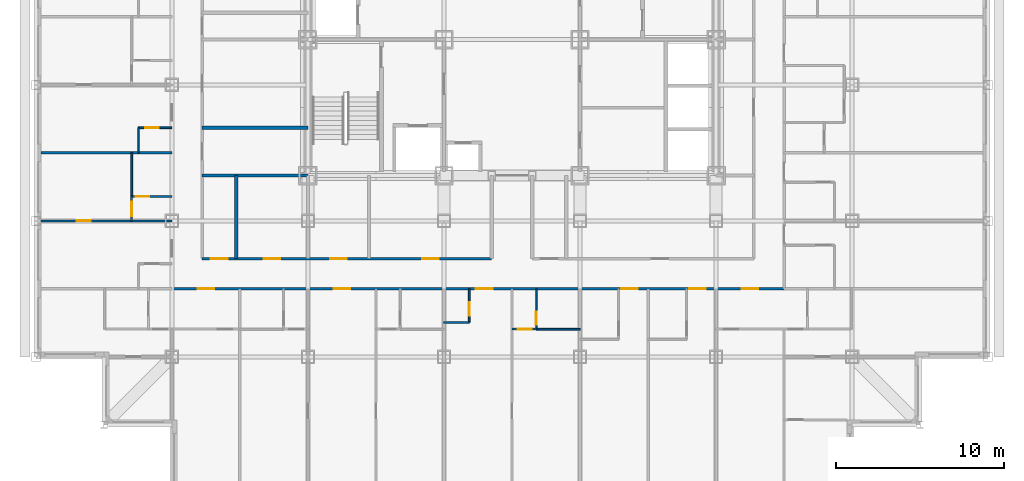
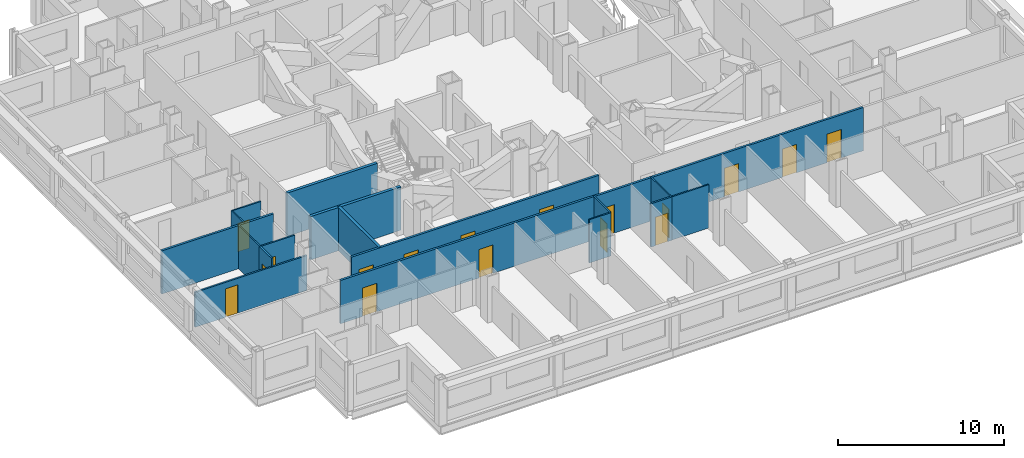
# One storey, part 5 of 13: 17 doors, 17 walls, 17 openings.
"""IFC4 building model written with IfcOpenShell, lengths in metres."""

from ifc_helpers import new_model, si_unit, direction, frame, frame_2d, origin, place, context, subcontext, project, spatial, rectangle, extrude, material, layer, layer_set, type_object, element, fill, save


model = new_model("IFC4")

# Units and contexts
model_context = context("Model", 3, precision=1e-05, world=origin(), true_north=direction((0.0, 1.0)))
body_context = subcontext(model_context, "Body", "Model", "MODEL_VIEW")
ifc_project = project(units=[si_unit("LENGTHUNIT", "METRE"), si_unit("AREAUNIT", "SQUARE_METRE"), si_unit("VOLUMEUNIT", "CUBIC_METRE"), si_unit("PLANEANGLEUNIT", "RADIAN"), si_unit("MASSUNIT", "GRAM", prefix="KILO")], contexts=[model_context])

# Site, building, storey
site_placement = place(None, origin())
site = spatial("IfcSite", under=ifc_project, at=site_placement, CompositionType="ELEMENT")
building_placement = place(site_placement, origin())
building = spatial("IfcBuilding", under=site, at=building_placement, Name="Kopane Lantern Tower", CompositionType="ELEMENT")
storey_placement = place(building_placement, frame((0.0, 0.0, 134.0)))
storey = spatial("IfcBuildingStorey", under=building, at=storey_placement, Name="L34", CompositionType="ELEMENT", Elevation=134.0)

# Wall, opening, door
ifc_material_1 = material(Name="Gypsum board on steel studs", Category="steel")
ifc_layer_1 = layer(ifc_material_1, 0.1201171875)
ifc_layer_set_1 = layer_set([ifc_layer_1], Name="APARTMENT INTERNAL WALL 120")
wall_type_1 = type_object("IfcWallType", Name="APARTMENT INTERNAL WALL 120", PredefinedType="PARTITIONING", material=ifc_layer_set_1)
wall_1_placement = place(storey_placement, frame((8.10009765625, 21.60009765625, 0.0), z_axis=(0.0, 0.0, 1.0), x_axis=(-1.0, 0.0, 0.0)))
wall_1 = element("IfcWall", 1, at=wall_1_placement, inside=storey, type_object=wall_type_1, Name="Apartment Internal Wall 120 L34", PredefinedType="PARTITIONING", context=body_context, shape_type="SweptSolid", body=[
    extrude(rectangle(XDim=7.800048828125, YDim=0.1201171875, at=frame_2d((3.89990234375, 0.0))), origin(), (0.0, 0.0, 1.0), 2.577880859375),
])
opening_1_placement = place(wall_1_placement, frame((4.824951171875, 0.0, 0.0)))
opening_1 = element("IfcOpeningElement", 2, at=opening_1_placement, cuts=wall_1, Name="Opening L34-046", PredefinedType="OPENING", context=body_context, shape_type="SweptSolid", body=[
    extrude(rectangle(XDim=0.85009765625, YDim=2.10009765625, at=frame_2d((0.425048828125, 1.050048828125))), frame((0.0, 0.070068359375, 0.0), z_axis=(0.0, -1.0, 0.0), x_axis=(1.0, 0.0, 0.0)), (0.0, 0.0, 1.0), 0.14013671875),
])
ifc_material_2 = material(Name="Timber door set", Category="wood")
door_type_1 = type_object("IfcDoorType", Name="DOOR D4 850x2100", OperationType="SINGLE_SWING_LEFT", PredefinedType="DOOR", material=ifc_material_2)
door_1_placement = place(opening_1_placement, origin())
door_1 = element("IfcDoor", 3, at=door_1_placement, inside=storey, type_object=door_type_1, Name="Door L34-046", OperationType="SINGLE_SWING_RIGHT", OverallHeight=2.10009765625, OverallWidth=0.85009765625, PredefinedType="DOOR", context=body_context, shape_type="SweptSolid", body=[
    extrude(rectangle(XDim=0.85009765625, YDim=2.10009765625, at=frame_2d((0.425048828125, 1.050048828125))), frame((0.0, 0.02490234375, 0.0), z_axis=(0.0, -1.0, 0.0), x_axis=(1.0, 0.0, 0.0)), (0.0, 0.0, 1.0), 0.050048828125),
])
fill(opening_1, door_1)

wall_2_placement = place(storey_placement, frame((29.81005859375, 15.14990234375, 0.0), z_axis=(0.0, 0.0, 1.0), x_axis=(-1.0, 0.0, 0.0)))
wall_2 = element("IfcWall", 4, at=wall_2_placement, inside=storey, type_object=wall_type_1, Name="Apartment Internal Wall 120 L34", PredefinedType="PARTITIONING", context=body_context, shape_type="SweptSolid", body=[
    extrude(rectangle(XDim=1.4599609375, YDim=0.1201171875, at=frame_2d((0.72998046875, 0.0))), origin(), (0.0, 0.0, 1.0), 3.18994140625),
])
opening_2_placement = place(wall_2_placement, frame((0.27490234375, 0.0, 0.0)))
opening_2 = element("IfcOpeningElement", 5, at=opening_2_placement, cuts=wall_2, Name="Opening L34-089", PredefinedType="OPENING", context=body_context, shape_type="SweptSolid", body=[
    extrude(rectangle(XDim=0.85009765625, YDim=2.10009765625, at=frame_2d((0.425048828125, 1.050048828125))), frame((0.0, 0.070068359375, 0.0), z_axis=(0.0, -1.0, 0.0), x_axis=(1.0, 0.0, 0.0)), (0.0, 0.0, 1.0), 0.14013671875),
])
door_2_placement = place(opening_2_placement, origin())
door_2 = element("IfcDoor", 6, at=door_2_placement, inside=storey, type_object=door_type_1, Name="Door L34-089", OperationType="SINGLE_SWING_RIGHT", OverallHeight=2.10009765625, OverallWidth=0.85009765625, PredefinedType="DOOR", context=body_context, shape_type="SweptSolid", body=[
    extrude(rectangle(XDim=0.85009765625, YDim=2.10009765625, at=frame_2d((0.425048828125, 1.050048828125))), frame((0.0, 0.02490234375, 0.0), z_axis=(0.0, -1.0, 0.0), x_axis=(1.0, 0.0, 0.0)), (0.0, 0.0, 1.0), 0.050048828125),
])
fill(opening_2, door_2)

wall_3_placement = place(storey_placement, frame((5.699951171875, 21.60009765625, 0.0), z_axis=(0.0, 0.0, 1.0), x_axis=(0.0, 1.0, 0.0)))
wall_3 = element("IfcWall", 7, at=wall_3_placement, inside=storey, type_object=wall_type_1, Name="Apartment Internal Wall 120 L34", PredefinedType="PARTITIONING", context=body_context, shape_type="SweptSolid", body=[
    extrude(rectangle(XDim=1.4599609375, YDim=0.1201171875, at=frame_2d((0.72998046875, 0.0))), origin(), (0.0, 0.0, 1.0), 3.18994140625),
])
opening_3_placement = place(wall_3_placement, frame((0.27490234375, 0.0, 0.0)))
opening_3 = element("IfcOpeningElement", 8, at=opening_3_placement, cuts=wall_3, Name="Opening L34-094", PredefinedType="OPENING", context=body_context, shape_type="SweptSolid", body=[
    extrude(rectangle(XDim=0.85009765625, YDim=2.10009765625, at=frame_2d((0.425048828125, 1.050048828125))), frame((0.0, 0.070068359375, 0.0), z_axis=(0.0, -1.0, 0.0), x_axis=(1.0, 0.0, 0.0)), (0.0, 0.0, 1.0), 0.14013671875),
])
door_3_placement = place(opening_3_placement, origin())
door_3 = element("IfcDoor", 9, at=door_3_placement, inside=storey, type_object=door_type_1, Name="Door L34-094", OperationType="SINGLE_SWING_LEFT", OverallHeight=2.10009765625, OverallWidth=0.85009765625, PredefinedType="DOOR", context=body_context, shape_type="SweptSolid", body=[
    extrude(rectangle(XDim=0.85009765625, YDim=2.10009765625, at=frame_2d((0.425048828125, 1.050048828125))), frame((0.0, 0.02490234375, 0.0), z_axis=(0.0, -1.0, 0.0), x_axis=(1.0, 0.0, 0.0)), (0.0, 0.0, 1.0), 0.050048828125),
])
fill(opening_3, door_3)

# Wall
ifc_material_3 = material(Name="Moisture-resistant board on steel studs", Category="steel")
ifc_layer_2 = layer(ifc_material_3, 0.10009765625)
ifc_layer_set_2 = layer_set([ifc_layer_2], Name="BATHROOM WALL 100")
wall_type_2 = type_object("IfcWallType", Name="BATHROOM WALL 100", PredefinedType="PARTITIONING", material=ifc_layer_set_2)
wall_4_placement = place(storey_placement, frame((24.300048828125, 15.550048828125, 0.0), z_axis=(0.0, 0.0, 1.0), x_axis=(1.0, 0.0, 0.0)))
element("IfcWall", 10, at=wall_4_placement, inside=storey, type_object=wall_type_2, Name="Bathroom Wall 100 L34", PredefinedType="PARTITIONING", context=body_context, shape_type="SweptSolid", body=[
    extrude(rectangle(XDim=1.5, YDim=0.10009765625, at=frame_2d((0.75, 0.0))), origin(), (0.0, 0.0, 1.0), 3.18994140625),
])

# Wall, opening, door
wall_5_placement = place(storey_placement, frame((25.800048828125, 17.550048828125, 0.0), z_axis=(0.0, 0.0, 1.0), x_axis=(0.0, -1.0, 0.0)))
wall_5 = element("IfcWall", 11, at=wall_5_placement, inside=storey, type_object=wall_type_2, Name="Bathroom Wall 100 L34", PredefinedType="PARTITIONING", context=body_context, shape_type="SweptSolid", body=[
    extrude(rectangle(XDim=2.0, YDim=0.10009765625, at=frame_2d((1.0, 0.0))), origin(), (0.0, 0.0, 1.0), 3.18994140625),
])
opening_4_placement = place(wall_5_placement, frame((0.800048828125, 0.0, 0.0)))
opening_4 = element("IfcOpeningElement", 12, at=opening_4_placement, cuts=wall_5, Name="Opening L34-023", PredefinedType="OPENING", context=body_context, shape_type="SweptSolid", body=[
    extrude(rectangle(XDim=0.800048828125, YDim=2.10009765625, at=frame_2d((0.39990234375, 1.050048828125))), frame((0.0, 0.06005859375, 0.0), z_axis=(0.0, -1.0, 0.0), x_axis=(1.0, 0.0, 0.0)), (0.0, 0.0, 1.0), 0.1201171875),
])
ifc_material_4 = material(Name="Timber door set", Category="wood")
door_type_2 = type_object("IfcDoorType", Name="DOOR D2 800x2100", OperationType="SINGLE_SWING_LEFT", PredefinedType="DOOR", material=ifc_material_4)
door_4_placement = place(opening_4_placement, origin())
door_4 = element("IfcDoor", 13, at=door_4_placement, inside=storey, type_object=door_type_2, Name="Door L34-023", OperationType="SINGLE_SWING_LEFT", OverallHeight=2.10009765625, OverallWidth=0.800048828125, PredefinedType="DOOR", context=body_context, shape_type="SweptSolid", body=[
    extrude(rectangle(XDim=0.800048828125, YDim=2.10009765625, at=frame_2d((0.39990234375, 1.050048828125))), frame((0.0, 0.02490234375, 0.0), z_axis=(0.0, -1.0, 0.0), x_axis=(1.0, 0.0, 0.0)), (0.0, 0.0, 1.0), 0.050048828125),
])
fill(opening_4, door_4)

# Wall
wall_6_placement = place(storey_placement, frame((29.800048828125, 15.14990234375, 0.0), z_axis=(0.0, 0.0, 1.0), x_axis=(1.0, 0.0, 0.0)))
element("IfcWall", 14, at=wall_6_placement, inside=storey, type_object=wall_type_2, Name="Bathroom Wall 100 L34", PredefinedType="PARTITIONING", context=body_context, shape_type="SweptSolid", body=[
    extrude(rectangle(XDim=2.599853515625, YDim=0.10009765625, at=frame_2d((1.2998046875, 0.0))), origin(), (0.0, 0.0, 1.0), 3.18994140625),
])

# Wall, opening, door
wall_7_placement = place(storey_placement, frame((29.800048828125, 17.550048828125, 0.0), z_axis=(0.0, 0.0, 1.0), x_axis=(0.0, -1.0, 0.0)))
wall_7 = element("IfcWall", 15, at=wall_7_placement, inside=storey, type_object=wall_type_2, Name="Bathroom Wall 100 L34", PredefinedType="PARTITIONING", context=body_context, shape_type="SweptSolid", body=[
    extrude(rectangle(XDim=2.400146484375, YDim=0.10009765625, at=frame_2d((1.2001953125, 0.0))), origin(), (0.0, 0.0, 1.0), 3.18994140625),
])
opening_5_placement = place(wall_7_placement, frame((1.35009765625, 0.0, 0.0)))
opening_5 = element("IfcOpeningElement", 16, at=opening_5_placement, cuts=wall_7, Name="Opening L34-025", PredefinedType="OPENING", context=body_context, shape_type="SweptSolid", body=[
    extrude(rectangle(XDim=0.800048828125, YDim=2.10009765625, at=frame_2d((0.39990234375, 1.050048828125))), frame((0.0, 0.06005859375, 0.0), z_axis=(0.0, -1.0, 0.0), x_axis=(1.0, 0.0, 0.0)), (0.0, 0.0, 1.0), 0.1201171875),
])
door_5_placement = place(opening_5_placement, origin())
door_5 = element("IfcDoor", 17, at=door_5_placement, inside=storey, type_object=door_type_2, Name="Door L34-025", OperationType="SINGLE_SWING_LEFT", OverallHeight=2.10009765625, OverallWidth=0.800048828125, PredefinedType="DOOR", context=body_context, shape_type="SweptSolid", body=[
    extrude(rectangle(XDim=0.800048828125, YDim=2.10009765625, at=frame_2d((0.39990234375, 1.050048828125))), frame((0.0, 0.02490234375, 0.0), z_axis=(0.0, -1.0, 0.0), x_axis=(1.0, 0.0, 0.0)), (0.0, 0.0, 1.0), 0.050048828125),
])
fill(opening_5, door_5)

# Wall
wall_8_placement = place(storey_placement, frame((5.699951171875, 23.050048828125, 0.0), z_axis=(0.0, 0.0, 1.0), x_axis=(0.0, 1.0, 0.0)))
element("IfcWall", 18, at=wall_8_placement, inside=storey, type_object=wall_type_2, Name="Bathroom Wall 100 L34", PredefinedType="PARTITIONING", context=body_context, shape_type="SweptSolid", body=[
    extrude(rectangle(XDim=2.599853515625, YDim=0.10009765625, at=frame_2d((1.2998046875, 0.0))), origin(), (0.0, 0.0, 1.0), 3.18994140625),
])

# Wall, opening, door
wall_9_placement = place(storey_placement, frame((8.10009765625, 23.050048828125, 0.0), z_axis=(0.0, 0.0, 1.0), x_axis=(-1.0, 0.0, 0.0)))
wall_9 = element("IfcWall", 19, at=wall_9_placement, inside=storey, type_object=wall_type_2, Name="Bathroom Wall 100 L34", PredefinedType="PARTITIONING", context=body_context, shape_type="SweptSolid", body=[
    extrude(rectangle(XDim=2.400146484375, YDim=0.10009765625, at=frame_2d((1.2001953125, 0.0))), origin(), (0.0, 0.0, 1.0), 3.18994140625),
])
opening_6_placement = place(wall_9_placement, frame((1.35009765625, 0.0, 0.0)))
opening_6 = element("IfcOpeningElement", 20, at=opening_6_placement, cuts=wall_9, Name="Opening L34-045", PredefinedType="OPENING", context=body_context, shape_type="SweptSolid", body=[
    extrude(rectangle(XDim=0.800048828125, YDim=2.10009765625, at=frame_2d((0.39990234375, 1.050048828125))), frame((0.0, 0.06005859375, 0.0), z_axis=(0.0, -1.0, 0.0), x_axis=(1.0, 0.0, 0.0)), (0.0, 0.0, 1.0), 0.1201171875),
])
door_6_placement = place(opening_6_placement, origin())
door_6 = element("IfcDoor", 21, at=door_6_placement, inside=storey, type_object=door_type_2, Name="Door L34-045", OperationType="SINGLE_SWING_RIGHT", OverallHeight=2.10009765625, OverallWidth=0.800048828125, PredefinedType="DOOR", context=body_context, shape_type="SweptSolid", body=[
    extrude(rectangle(XDim=0.800048828125, YDim=2.10009765625, at=frame_2d((0.39990234375, 1.050048828125))), frame((0.0, 0.02490234375, 0.0), z_axis=(0.0, -1.0, 0.0), x_axis=(1.0, 0.0, 0.0)), (0.0, 0.0, 1.0), 0.050048828125),
])
fill(opening_6, door_6)

# Wall
wall_10_placement = place(storey_placement, frame((6.10009765625, 25.64990234375, 0.0), z_axis=(0.0, 0.0, 1.0), x_axis=(0.0, 1.0, 0.0)))
element("IfcWall", 22, at=wall_10_placement, inside=storey, type_object=wall_type_2, Name="Bathroom Wall 100 L34", PredefinedType="PARTITIONING", context=body_context, shape_type="SweptSolid", body=[
    extrude(rectangle(XDim=1.5, YDim=0.10009765625, at=frame_2d((0.75, 0.0))), origin(), (0.0, 0.0, 1.0), 3.18994140625),
])

# Wall, opening, door
wall_11_placement = place(storey_placement, frame((8.10009765625, 27.14990234375, 0.0), z_axis=(0.0, 0.0, 1.0), x_axis=(-1.0, 0.0, 0.0)))
wall_11 = element("IfcWall", 23, at=wall_11_placement, inside=storey, type_object=wall_type_2, Name="Bathroom Wall 100 L34", PredefinedType="PARTITIONING", context=body_context, shape_type="SweptSolid", body=[
    extrude(rectangle(XDim=2.0, YDim=0.10009765625, at=frame_2d((1.0, 0.0))), origin(), (0.0, 0.0, 1.0), 3.18994140625),
])
opening_7_placement = place(wall_11_placement, frame((0.800048828125, 0.0, 0.0)))
opening_7 = element("IfcOpeningElement", 24, at=opening_7_placement, cuts=wall_11, Name="Opening L34-047", PredefinedType="OPENING", context=body_context, shape_type="SweptSolid", body=[
    extrude(rectangle(XDim=0.800048828125, YDim=2.10009765625, at=frame_2d((0.39990234375, 1.050048828125))), frame((0.0, 0.06005859375, 0.0), z_axis=(0.0, -1.0, 0.0), x_axis=(1.0, 0.0, 0.0)), (0.0, 0.0, 1.0), 0.1201171875),
])
door_7_placement = place(opening_7_placement, origin())
door_7 = element("IfcDoor", 25, at=door_7_placement, inside=storey, type_object=door_type_2, Name="Door L34-047", OperationType="SINGLE_SWING_RIGHT", OverallHeight=2.10009765625, OverallWidth=0.800048828125, PredefinedType="DOOR", context=body_context, shape_type="SweptSolid", body=[
    extrude(rectangle(XDim=0.800048828125, YDim=2.10009765625, at=frame_2d((0.39990234375, 1.050048828125))), frame((0.0, 0.02490234375, 0.0), z_axis=(0.0, -1.0, 0.0), x_axis=(1.0, 0.0, 0.0)), (0.0, 0.0, 1.0), 0.050048828125),
])
fill(opening_7, door_7)

# Wall, openings, doors
ifc_material_5 = material(Name="Gypsum board on steel studs", Category="steel")
ifc_layer_3 = layer(ifc_material_5, 0.14990234375)
ifc_layer_set_3 = layer_set([ifc_layer_3], Name="CORRIDOR WALL 150 EI 60")
wall_type_3 = type_object("IfcWallType", Name="CORRIDOR WALL 150 EI 60", PredefinedType="PARTITIONING", material=ifc_layer_set_3)
wall_12_placement = place(storey_placement, frame((8.10009765625, 17.550048828125, 0.0), z_axis=(0.0, 0.0, 1.0), x_axis=(1.0, 0.0, 0.0)))
wall_12 = element("IfcWall", 26, at=wall_12_placement, inside=storey, type_object=wall_type_3, Name="Corridor Wall 150 Ei 60 L34", PredefinedType="PARTITIONING", context=body_context, shape_type="SweptSolid", body=[
    extrude(rectangle(XDim=36.449951171875, YDim=0.14990234375, at=frame_2d((18.22509765625, 0.0))), origin(), (0.0, 0.0, 1.0), 3.18994140625),
])
opening_8_placement = place(wall_12_placement, frame((9.625, 0.0, 0.0)))
opening_8 = element("IfcOpeningElement", 27, at=opening_8_placement, cuts=wall_12, Name="Opening L34-018", PredefinedType="OPENING", context=body_context, shape_type="SweptSolid", body=[
    extrude(rectangle(XDim=1.0, YDim=2.10009765625, at=frame_2d((0.5, 1.050048828125))), frame((0.0, 0.0849609375, 0.0), z_axis=(0.0, -1.0, 0.0), x_axis=(1.0, 0.0, 0.0)), (0.0, 0.0, 1.0), 0.169921875),
])
opening_9_placement = place(wall_12_placement, frame((18.10009765625, 0.0, 0.0)))
opening_9 = element("IfcOpeningElement", 28, at=opening_9_placement, cuts=wall_12, Name="Opening L34-024", PredefinedType="OPENING", context=body_context, shape_type="SweptSolid", body=[
    extrude(rectangle(XDim=1.0, YDim=2.10009765625, at=frame_2d((0.5, 1.050048828125))), frame((0.0, 0.0849609375, 0.0), z_axis=(0.0, -1.0, 0.0), x_axis=(1.0, 0.0, 0.0)), (0.0, 0.0, 1.0), 0.169921875),
])
opening_10_placement = place(wall_12_placement, frame((26.75, 0.0, 0.0)))
opening_10 = element("IfcOpeningElement", 29, at=opening_10_placement, cuts=wall_12, Name="Opening L34-028", PredefinedType="OPENING", context=body_context, shape_type="SweptSolid", body=[
    extrude(rectangle(XDim=1.0, YDim=2.10009765625, at=frame_2d((0.5, 1.050048828125))), frame((0.0, 0.0849609375, 0.0), z_axis=(0.0, -1.0, 0.0), x_axis=(1.0, 0.0, 0.0)), (0.0, 0.0, 1.0), 0.169921875),
])
opening_11_placement = place(wall_12_placement, frame((30.800048828125, 0.0, 0.0)))
opening_11 = element("IfcOpeningElement", 30, at=opening_11_placement, cuts=wall_12, Name="Opening L34-030", PredefinedType="OPENING", context=body_context, shape_type="SweptSolid", body=[
    extrude(rectangle(XDim=1.0, YDim=2.10009765625, at=frame_2d((0.5, 1.050048828125))), frame((0.0, 0.0849609375, 0.0), z_axis=(0.0, -1.0, 0.0), x_axis=(1.0, 0.0, 0.0)), (0.0, 0.0, 1.0), 0.169921875),
])
opening_12_placement = place(wall_12_placement, frame((1.52490234375, 0.0, 0.0)))
opening_12 = element("IfcOpeningElement", 31, at=opening_12_placement, cuts=wall_12, Name="Opening L34-070", PredefinedType="OPENING", context=body_context, shape_type="SweptSolid", body=[
    extrude(rectangle(XDim=1.0, YDim=2.10009765625, at=frame_2d((0.5, 1.050048828125))), frame((0.0, 0.0849609375, 0.0), z_axis=(0.0, -1.0, 0.0), x_axis=(1.0, 0.0, 0.0)), (0.0, 0.0, 1.0), 0.169921875),
])
opening_13_placement = place(wall_12_placement, frame((33.925048828125, 0.0, 0.0)))
opening_13 = element("IfcOpeningElement", 32, at=opening_13_placement, cuts=wall_12, Name="Opening L34-075", PredefinedType="OPENING", context=body_context, shape_type="SweptSolid", body=[
    extrude(rectangle(XDim=1.0, YDim=2.10009765625, at=frame_2d((0.5, 1.050048828125))), frame((0.0, 0.0849609375, 0.0), z_axis=(0.0, -1.0, 0.0), x_axis=(1.0, 0.0, 0.0)), (0.0, 0.0, 1.0), 0.169921875),
])
ifc_material_6 = material(Name="Steel door set", Category="steel")
door_type_3 = type_object("IfcDoorType", Name="DOOR D1 1000x2100 FD30S", OperationType="SINGLE_SWING_LEFT", PredefinedType="DOOR", material=ifc_material_6)
door_8_placement = place(opening_8_placement, origin())
door_8 = element("IfcDoor", 33, at=door_8_placement, inside=storey, type_object=door_type_3, Name="Door L34-018", OperationType="SINGLE_SWING_LEFT", OverallHeight=2.10009765625, OverallWidth=1.0, PredefinedType="DOOR", context=body_context, shape_type="SweptSolid", body=[
    extrude(rectangle(XDim=1.0, YDim=2.10009765625, at=frame_2d((0.5, 1.050048828125))), frame((0.0, 0.02490234375, 0.0), z_axis=(0.0, -1.0, 0.0), x_axis=(1.0, 0.0, 0.0)), (0.0, 0.0, 1.0), 0.050048828125),
])
fill(opening_8, door_8)
door_9_placement = place(opening_9_placement, origin())
door_9 = element("IfcDoor", 34, at=door_9_placement, inside=storey, type_object=door_type_3, Name="Door L34-024", OperationType="SINGLE_SWING_RIGHT", OverallHeight=2.10009765625, OverallWidth=1.0, PredefinedType="DOOR", context=body_context, shape_type="SweptSolid", body=[
    extrude(rectangle(XDim=1.0, YDim=2.10009765625, at=frame_2d((0.5, 1.050048828125))), frame((0.0, 0.02490234375, 0.0), z_axis=(0.0, -1.0, 0.0), x_axis=(1.0, 0.0, 0.0)), (0.0, 0.0, 1.0), 0.050048828125),
])
fill(opening_9, door_9)
door_10_placement = place(opening_10_placement, origin())
door_10 = element("IfcDoor", 35, at=door_10_placement, inside=storey, type_object=door_type_3, Name="Door L34-028", OperationType="SINGLE_SWING_RIGHT", OverallHeight=2.10009765625, OverallWidth=1.0, PredefinedType="DOOR", context=body_context, shape_type="SweptSolid", body=[
    extrude(rectangle(XDim=1.0, YDim=2.10009765625, at=frame_2d((0.5, 1.050048828125))), frame((0.0, 0.02490234375, 0.0), z_axis=(0.0, -1.0, 0.0), x_axis=(1.0, 0.0, 0.0)), (0.0, 0.0, 1.0), 0.050048828125),
])
fill(opening_10, door_10)
door_11_placement = place(opening_11_placement, origin())
door_11 = element("IfcDoor", 36, at=door_11_placement, inside=storey, type_object=door_type_3, Name="Door L34-030", OperationType="SINGLE_SWING_RIGHT", OverallHeight=2.10009765625, OverallWidth=1.0, PredefinedType="DOOR", context=body_context, shape_type="SweptSolid", body=[
    extrude(rectangle(XDim=1.0, YDim=2.10009765625, at=frame_2d((0.5, 1.050048828125))), frame((0.0, 0.02490234375, 0.0), z_axis=(0.0, -1.0, 0.0), x_axis=(1.0, 0.0, 0.0)), (0.0, 0.0, 1.0), 0.050048828125),
])
fill(opening_11, door_11)
door_12_placement = place(opening_12_placement, origin())
door_12 = element("IfcDoor", 37, at=door_12_placement, inside=storey, type_object=door_type_3, Name="Door L34-070", OperationType="SINGLE_SWING_LEFT", OverallHeight=2.10009765625, OverallWidth=1.0, PredefinedType="DOOR", context=body_context, shape_type="SweptSolid", body=[
    extrude(rectangle(XDim=1.0, YDim=2.10009765625, at=frame_2d((0.5, 1.050048828125))), frame((0.0, 0.02490234375, 0.0), z_axis=(0.0, -1.0, 0.0), x_axis=(1.0, 0.0, 0.0)), (0.0, 0.0, 1.0), 0.050048828125),
])
fill(opening_12, door_12)
door_13_placement = place(opening_13_placement, origin())
door_13 = element("IfcDoor", 38, at=door_13_placement, inside=storey, type_object=door_type_3, Name="Door L34-075", OperationType="SINGLE_SWING_RIGHT", OverallHeight=2.10009765625, OverallWidth=1.0, PredefinedType="DOOR", context=body_context, shape_type="SweptSolid", body=[
    extrude(rectangle(XDim=1.0, YDim=2.10009765625, at=frame_2d((0.5, 1.050048828125))), frame((0.0, 0.02490234375, 0.0), z_axis=(0.0, -1.0, 0.0), x_axis=(1.0, 0.0, 0.0)), (0.0, 0.0, 1.0), 0.050048828125),
])
fill(opening_13, door_13)

wall_13_placement = place(storey_placement, frame((9.89990234375, 19.35009765625, 0.0), z_axis=(0.0, 0.0, 1.0), x_axis=(1.0, 0.0, 0.0)))
wall_13 = element("IfcWall", 39, at=wall_13_placement, inside=storey, type_object=wall_type_3, Name="Corridor Wall 150 Ei 60 L34", PredefinedType="PARTITIONING", context=body_context, shape_type="SweptSolid", body=[
    extrude(rectangle(XDim=17.239990234375, YDim=0.14990234375, at=frame_2d((8.6201171875, 0.0))), origin(), (0.0, 0.0, 1.0), 3.18994140625),
])
opening_14_placement = place(wall_13_placement, frame((0.510009765625, 0.0, 0.0)))
opening_14 = element("IfcOpeningElement", 40, at=opening_14_placement, cuts=wall_13, Name="Opening L34-007", PredefinedType="OPENING", context=body_context, shape_type="SweptSolid", body=[
    extrude(rectangle(XDim=1.0, YDim=2.10009765625, at=frame_2d((0.5, 1.050048828125))), frame((0.0, 0.0849609375, 0.0), z_axis=(0.0, -1.0, 0.0), x_axis=(1.0, 0.0, 0.0)), (0.0, 0.0, 1.0), 0.169921875),
])
opening_15_placement = place(wall_13_placement, frame((3.66015625, 0.0, 0.0)))
opening_15 = element("IfcOpeningElement", 41, at=opening_15_placement, cuts=wall_13, Name="Opening L34-008", PredefinedType="OPENING", context=body_context, shape_type="SweptSolid", body=[
    extrude(rectangle(XDim=1.0, YDim=2.10009765625, at=frame_2d((0.5, 1.050048828125))), frame((0.0, 0.0849609375, 0.0), z_axis=(0.0, -1.0, 0.0), x_axis=(1.0, 0.0, 0.0)), (0.0, 0.0, 1.0), 0.169921875),
])
opening_16_placement = place(wall_13_placement, frame((7.6181640625, 0.0, 0.0)))
opening_16 = element("IfcOpeningElement", 42, at=opening_16_placement, cuts=wall_13, Name="Opening L34-009", PredefinedType="OPENING", context=body_context, shape_type="SweptSolid", body=[
    extrude(rectangle(XDim=1.0, YDim=2.10009765625, at=frame_2d((0.5, 1.050048828125))), frame((0.0, 0.0849609375, 0.0), z_axis=(0.0, -1.0, 0.0), x_axis=(1.0, 0.0, 0.0)), (0.0, 0.0, 1.0), 0.169921875),
])
opening_17_placement = place(wall_13_placement, frame((13.09326171875, 0.0, 0.0)))
opening_17 = element("IfcOpeningElement", 43, at=opening_17_placement, cuts=wall_13, Name="Opening L34-010", PredefinedType="OPENING", context=body_context, shape_type="SweptSolid", body=[
    extrude(rectangle(XDim=1.0, YDim=2.10009765625, at=frame_2d((0.5, 1.050048828125))), frame((0.0, 0.0849609375, 0.0), z_axis=(0.0, -1.0, 0.0), x_axis=(1.0, 0.0, 0.0)), (0.0, 0.0, 1.0), 0.169921875),
])
ifc_material_7 = material(Name="Steel door set", Category="steel")
door_type_4 = type_object("IfcDoorType", Name="DOOR D5 1000x2100 FD60", OperationType="SINGLE_SWING_LEFT", PredefinedType="DOOR", material=ifc_material_7)
door_14_placement = place(opening_14_placement, origin())
door_14 = element("IfcDoor", 44, at=door_14_placement, inside=storey, type_object=door_type_4, Name="Door L34-007", OperationType="SINGLE_SWING_LEFT", OverallHeight=2.10009765625, OverallWidth=1.0, PredefinedType="DOOR", context=body_context, shape_type="SweptSolid", body=[
    extrude(rectangle(XDim=1.0, YDim=2.10009765625, at=frame_2d((0.5, 1.050048828125))), frame((0.0, 0.02490234375, 0.0), z_axis=(0.0, -1.0, 0.0), x_axis=(1.0, 0.0, 0.0)), (0.0, 0.0, 1.0), 0.050048828125),
])
fill(opening_14, door_14)
door_15_placement = place(opening_15_placement, origin())
door_15 = element("IfcDoor", 45, at=door_15_placement, inside=storey, type_object=door_type_4, Name="Door L34-008", OperationType="SINGLE_SWING_RIGHT", OverallHeight=2.10009765625, OverallWidth=1.0, PredefinedType="DOOR", context=body_context, shape_type="SweptSolid", body=[
    extrude(rectangle(XDim=1.0, YDim=2.10009765625, at=frame_2d((0.5, 1.050048828125))), frame((0.0, 0.02490234375, 0.0), z_axis=(0.0, -1.0, 0.0), x_axis=(1.0, 0.0, 0.0)), (0.0, 0.0, 1.0), 0.050048828125),
])
fill(opening_15, door_15)
door_16_placement = place(opening_16_placement, origin())
door_16 = element("IfcDoor", 46, at=door_16_placement, inside=storey, type_object=door_type_4, Name="Door L34-009", OperationType="SINGLE_SWING_LEFT", OverallHeight=2.10009765625, OverallWidth=1.0, PredefinedType="DOOR", context=body_context, shape_type="SweptSolid", body=[
    extrude(rectangle(XDim=1.0, YDim=2.10009765625, at=frame_2d((0.5, 1.050048828125))), frame((0.0, 0.02490234375, 0.0), z_axis=(0.0, -1.0, 0.0), x_axis=(1.0, 0.0, 0.0)), (0.0, 0.0, 1.0), 0.050048828125),
])
fill(opening_16, door_16)
door_17_placement = place(opening_17_placement, origin())
door_17 = element("IfcDoor", 47, at=door_17_placement, inside=storey, type_object=door_type_4, Name="Door L34-010", OperationType="SINGLE_SWING_RIGHT", OverallHeight=2.10009765625, OverallWidth=1.0, PredefinedType="DOOR", context=body_context, shape_type="SweptSolid", body=[
    extrude(rectangle(XDim=1.0, YDim=2.10009765625, at=frame_2d((0.5, 1.050048828125))), frame((0.0, 0.02490234375, 0.0), z_axis=(0.0, -1.0, 0.0), x_axis=(1.0, 0.0, 0.0)), (0.0, 0.0, 1.0), 0.050048828125),
])
fill(opening_17, door_17)

# Walls
ifc_material_8 = material(Name="Gypsum board on steel studs", Category="steel")
ifc_layer_4 = layer(ifc_material_8, 0.14990234375)
ifc_layer_set_4 = layer_set([ifc_layer_4], Name="DEMISING WALL 150 EI 60")
wall_type_4 = type_object("IfcWallType", Name="DEMISING WALL 150 EI 60", PredefinedType="PARTITIONING", material=ifc_layer_set_4)
wall_14_placement = place(storey_placement, frame((8.10009765625, 25.64990234375, 0.0), z_axis=(0.0, 0.0, 1.0), x_axis=(-1.0, 0.0, 0.0)))
element("IfcWall", 48, at=wall_14_placement, inside=storey, type_object=wall_type_4, Name="Demising Wall 150 Ei 60 L34", PredefinedType="PARTITIONING", context=body_context, shape_type="SweptSolid", body=[
    extrude(rectangle(XDim=7.800048828125, YDim=0.14990234375, at=frame_2d((3.89990234375, 0.0))), origin(), (0.0, 0.0, 1.0), 3.18994140625),
])
ifc_material_9 = material(Name="Concrete masonry", Category="masonry")
ifc_layer_5 = layer(ifc_material_9, 0.199951171875)
ifc_layer_set_5 = layer_set([ifc_layer_5], Name="PLANT ROOM WALL 200 EI 120")
wall_type_5 = type_object("IfcWallType", Name="PLANT ROOM WALL 200 EI 120", PredefinedType="SOLIDWALL", material=ifc_layer_set_5)
wall_15_placement = place(storey_placement, frame((9.89990234375, 27.156982421875, 0.0), z_axis=(0.0, 0.0, 1.0), x_axis=(1.0, 0.0, 0.0)))
element("IfcWall", 49, at=wall_15_placement, inside=storey, type_object=wall_type_5, Name="Plant Room Wall 200 Ei 120 L34", PredefinedType="SOLIDWALL", context=body_context, shape_type="SweptSolid", body=[
    extrude(rectangle(XDim=6.300048828125, YDim=0.199951171875, at=frame_2d((3.14990234375, 0.0))), origin(), (0.0, 0.0, 1.0), 3.18994140625),
])
wall_16_placement = place(storey_placement, frame((11.920166015625, 19.35009765625, 0.0), z_axis=(0.0, 0.0, 1.0), x_axis=(0.0, 1.0, 0.0)))
element("IfcWall", 50, at=wall_16_placement, inside=storey, type_object=wall_type_5, Name="Plant Room Wall 200 Ei 120 L34", PredefinedType="SOLIDWALL", context=body_context, shape_type="SweptSolid", body=[
    extrude(rectangle(XDim=4.949951171875, YDim=0.199951171875, at=frame_2d((2.47509765625, 0.0))), origin(), (0.0, 0.0, 1.0), 3.18994140625),
])
wall_17_placement = place(storey_placement, frame((9.89990234375, 24.300048828125, 0.0), z_axis=(0.0, 0.0, 1.0), x_axis=(1.0, 0.0, 0.0)))
element("IfcWall", 51, at=wall_17_placement, inside=storey, type_object=wall_type_5, Name="Plant Room Wall 200 Ei 120 L34", PredefinedType="SOLIDWALL", context=body_context, shape_type="SweptSolid", body=[
    extrude(rectangle(XDim=6.300048828125, YDim=0.199951171875, at=frame_2d((3.14990234375, 0.0))), origin(), (0.0, 0.0, 1.0), 3.18994140625),
])

save(model, "model.ifc")
